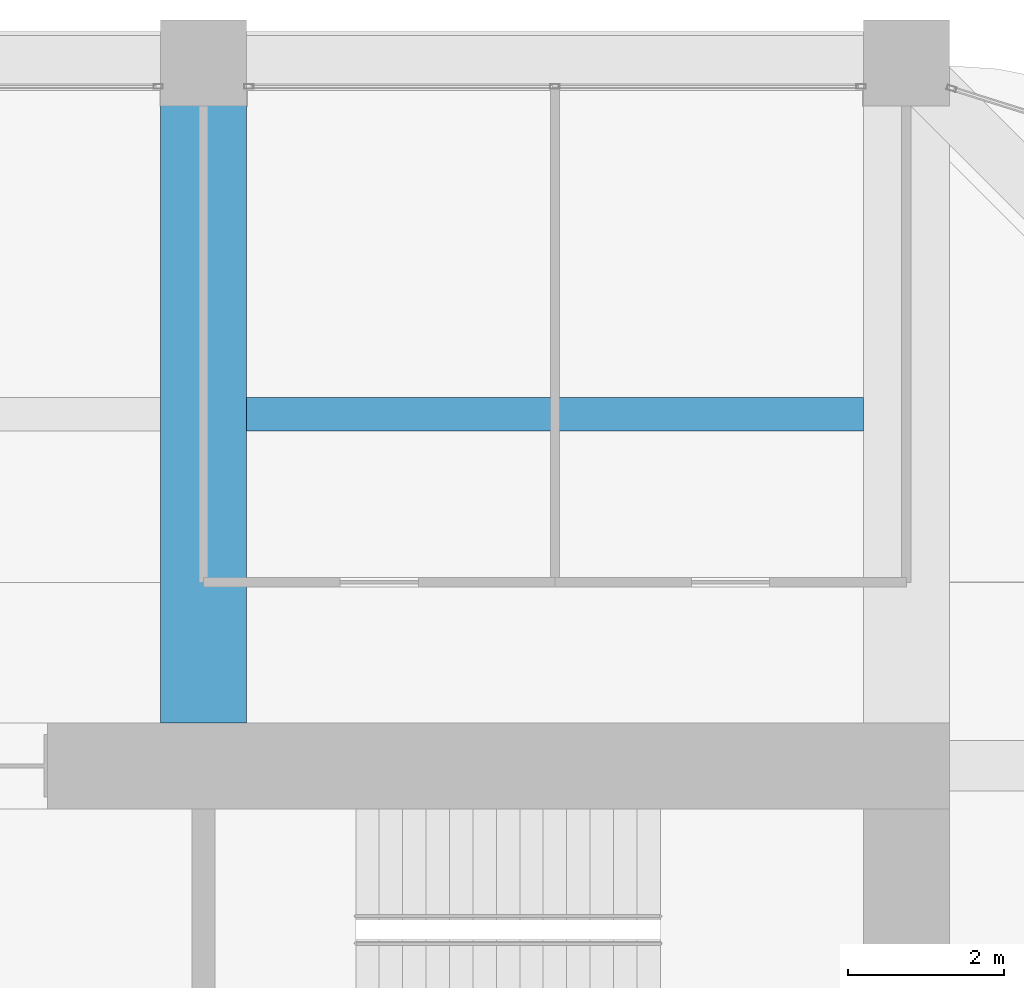
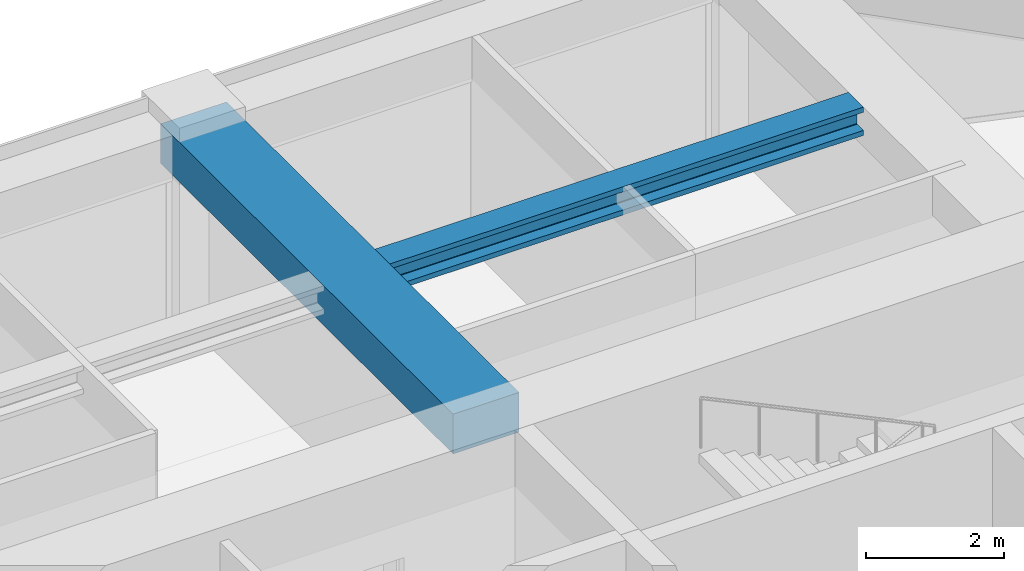
# One storey, part 34 of 44: 2 beams.
"""IFC4 building model written with IfcOpenShell, lengths in metres."""

from ifc_helpers import new_model, si_unit, direction, frame, origin, origin_2d, place, context, subcontext, project, spatial, rectangle, i_section, extrude, material, material_profile, profile_set, type_object, element, save


model = new_model("IFC4")

# Units and contexts
model_context = context("Model", 3, precision=1e-05, world=origin(), true_north=direction((0.0, 1.0)))
body_context = subcontext(model_context, "Body", "Model", "MODEL_VIEW")
ifc_project = project(units=[si_unit("LENGTHUNIT", "METRE"), si_unit("AREAUNIT", "SQUARE_METRE"), si_unit("VOLUMEUNIT", "CUBIC_METRE"), si_unit("PLANEANGLEUNIT", "RADIAN"), si_unit("MASSUNIT", "GRAM", prefix="KILO")], contexts=[model_context])

# Site, building, storey
site_placement = place(None, origin())
site = spatial("IfcSite", under=ifc_project, at=site_placement, CompositionType="ELEMENT")
building_placement = place(site_placement, origin())
building = spatial("IfcBuilding", under=site, at=building_placement, Name="Zorevar Civic Tower", CompositionType="ELEMENT")
storey_placement = place(building_placement, frame((0.0, 0.0, 251.39990234375)))
storey = spatial("IfcBuildingStorey", under=building, at=storey_placement, Name="L61", CompositionType="ELEMENT", Elevation=251.39990234375)

# Beams
ifc_material_1 = material(Name="Concrete C50/60", Category="concrete")
ifc_material_profile_1 = material_profile(ifc_material_1, rectangle(XDim=1.10009765625, YDim=0.699951171875, at=origin_2d()), Name="RC 1100x700")
ifc_profile_set_1 = profile_set([ifc_material_profile_1], Name="Concrete C50/60")
beam_type_1 = type_object("IfcBeamType", Name="Beam RC 1100x700", PredefinedType="BEAM", material=ifc_profile_set_1)
beam_1_placement = place(storey_placement, frame((36.0, 36.550048828125, 3.400146484375), z_axis=(0.0, 1.0, 0.0), x_axis=(-1.0, 0.0, 0.0)))
element("IfcBeam", 1, at=beam_1_placement, inside=storey, type_object=beam_type_1, Name="Girder L62", PredefinedType="BEAM", context=body_context, shape_type="SweptSolid", body=[
    extrude(rectangle(XDim=1.10009765625, YDim=0.699951171875, at=origin_2d()), origin(), (0.0, 0.0, 1.0), 8.449951171875),
])
ifc_material_2 = material(Name="Steel S460M (HISTAR 460)", Category="steel")
ifc_material_profile_2 = material_profile(ifc_material_2, i_section(OverallWidth=0.431884765625, OverallDepth=0.498046875, WebThickness=0.0556640625, FlangeThickness=0.0888671875, FilletRadius=0.014892578125, at=origin_2d()), Name="HD 400x744")
ifc_profile_set_2 = profile_set([ifc_material_profile_2], Name="Steel S460M (HISTAR 460)")
beam_type_2 = type_object("IfcBeamType", Name="Core bay beam HD 400x744", PredefinedType="BEAM", material=ifc_profile_set_2)
beam_2_placement = place(storey_placement, frame((36.550048828125, 40.5, 3.5009765625), z_axis=(1.0, 0.0, 0.0), x_axis=(0.0, 1.0, 0.0)))
element("IfcBeam", 2, at=beam_2_placement, inside=storey, type_object=beam_type_2, Name="Secondary beam L62", PredefinedType="BEAM", context=body_context, shape_type="SweptSolid", body=[
    extrude(i_section(OverallWidth=0.431884765625, OverallDepth=0.498046875, WebThickness=0.0556640625, FlangeThickness=0.0888671875, FilletRadius=0.014892578125, at=origin_2d()), origin(), (0.0, 0.0, 1.0), 7.89990234375),
])

save(model, "model.ifc")
